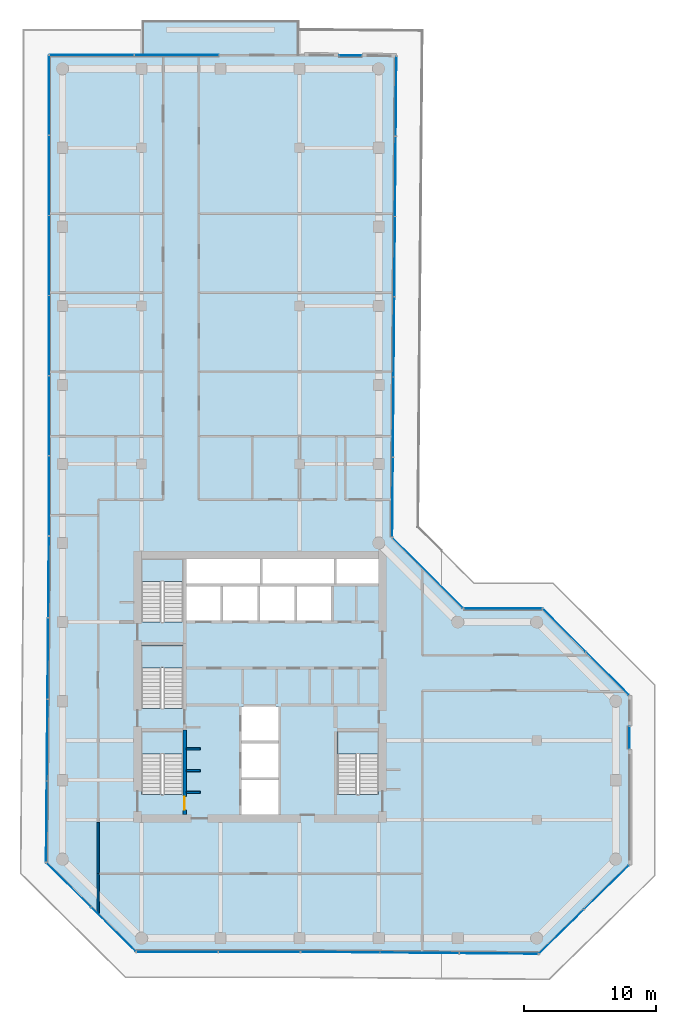
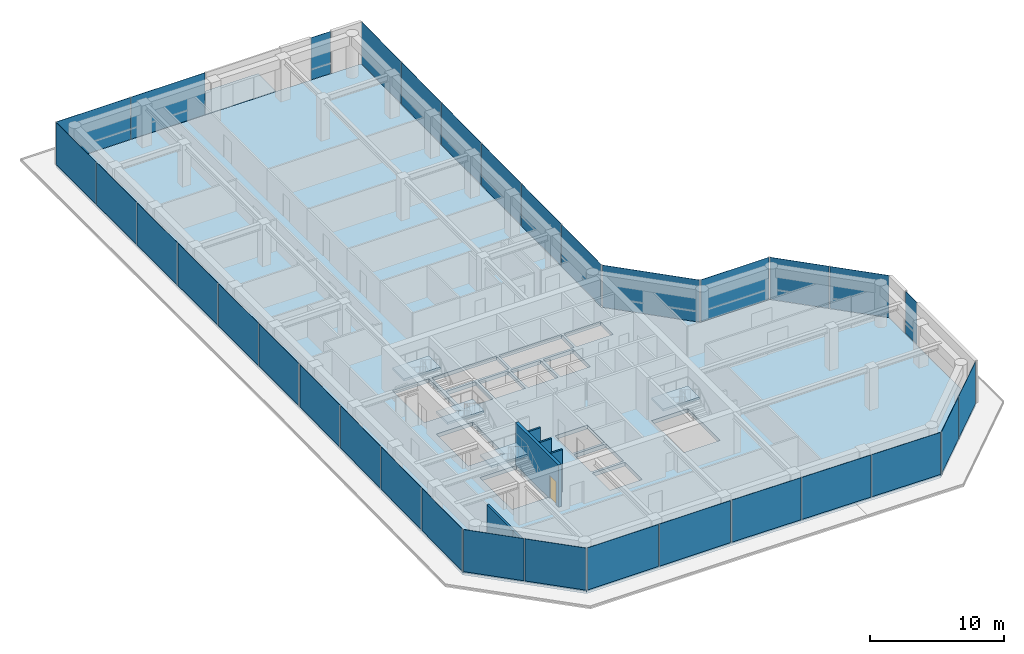
# One storey, part 14 of 19: 33 plates, 6 slabs, 6 walls, 1 door, 1 opening, 17 elements without a shape of their own.
"""IFC4 building model written with IfcOpenShell, lengths in metres."""

from ifc_helpers import new_model, si_unit, direction, frame, frame_2d, origin, origin_2d, place, context, subcontext, project, spatial, polyline, rectangle, outline, extrude, material, layer, layer_set, type_object, element, fill, aggregate, save


model = new_model("IFC4")

# Units and contexts
model_context = context("Model", 3, precision=1e-05, world=origin(), true_north=direction((0.0, 1.0)))
body_context = subcontext(model_context, "Body", "Model", "MODEL_VIEW")
ifc_project = project(units=[si_unit("LENGTHUNIT", "METRE"), si_unit("AREAUNIT", "SQUARE_METRE"), si_unit("VOLUMEUNIT", "CUBIC_METRE"), si_unit("PLANEANGLEUNIT", "RADIAN"), si_unit("MASSUNIT", "GRAM", prefix="KILO")], contexts=[model_context])

# Site, building, storey
site_placement = place(None, origin())
site = spatial("IfcSite", under=ifc_project, at=site_placement, CompositionType="ELEMENT")
building_placement = place(site_placement, origin())
building = spatial("IfcBuilding", under=site, at=building_placement, Name="Welwitschia Terrace Campus", CompositionType="ELEMENT")
storey_placement = place(building_placement, frame((0.0, 0.0, 167.60009765625)))
storey = spatial("IfcBuildingStorey", under=building, at=storey_placement, Name="L37", CompositionType="ELEMENT", Elevation=167.60009765625)

# Curtain wall, plates
ifc_material_1 = material(Name="Bronze anodised aluminium", Category="aluminium")
ifc_layer_1 = layer(ifc_material_1, 0.1201171875)
ifc_layer_set_1 = layer_set([ifc_layer_1], Name="Bronze anodised aluminium")
curtain_wall_type = type_object("IfcCurtainWallType", Name="Curtain wall CW2 tower 6000", PredefinedType="NOTDEFINED", material=ifc_layer_set_1)
curtain_wall_1_placement = place(storey_placement, origin())
curtain_wall_1 = element("IfcCurtainWall", 1, at=curtain_wall_1_placement, inside=storey, type_object=curtain_wall_type, Name="CW L37.0.1", PredefinedType="NOTDEFINED")
ifc_material_2 = material(Name="Tinted bronze-grey glass", Category="glass")
ifc_layer_2 = layer(ifc_material_2, 0.028076171875)
ifc_layer_set_2 = layer_set([ifc_layer_2], Name="Tinted bronze-grey glass")
plate_type = type_object("IfcPlateType", Name="Glass panel 28 tinted", PredefinedType="CURTAIN_PANEL", material=ifc_layer_set_2)
plate_1_placement = place(storey_placement, frame((8.65673828125, 63.030029296875, -0.000244140625), z_axis=(0.0, 0.0, 1.0), x_axis=(-1.0, 0.0, 0.0)))
plate_1 = element("IfcPlate", 2, at=plate_1_placement, type_object=plate_type, Name="Panel L37.0.1.0", PredefinedType="CURTAIN_PANEL", context=body_context, shape_type="SweptSolid", body=[
    extrude(rectangle(XDim=6.3779296875, YDim=0.028076171875, at=origin_2d()), origin(), (0.0, 0.0, 1.0), 3.85009765625),
])
plate_2_placement = place(storey_placement, frame((2.218994140625, 63.030029296875, -0.000244140625), z_axis=(0.0, 0.0, 1.0), x_axis=(-1.0, 0.0, 0.0)))
plate_2 = element("IfcPlate", 3, at=plate_2_placement, type_object=plate_type, Name="Panel L37.0.1.1", PredefinedType="CURTAIN_PANEL", context=body_context, shape_type="SweptSolid", body=[
    extrude(rectangle(XDim=6.3779296875, YDim=0.028076171875, at=origin_2d()), origin(), (0.0, 0.0, 1.0), 3.85009765625),
])
aggregate(curtain_wall_1, [plate_1, plate_2])

curtain_wall_2_placement = place(storey_placement, origin())
curtain_wall_2 = element("IfcCurtainWall", 4, at=curtain_wall_2_placement, inside=storey, type_object=curtain_wall_type, Name="CW L37.1.0", PredefinedType="NOTDEFINED")
plate_3_placement = place(storey_placement, frame((-1.030029296875, 59.9736328125, -0.000244140625), z_axis=(0.0, 0.0, 1.0), x_axis=(0.0, -1.0, 0.0)))
plate_3 = element("IfcPlate", 5, at=plate_3_placement, type_object=plate_type, Name="Panel L37.1.0.0", PredefinedType="CURTAIN_PANEL", context=body_context, shape_type="SweptSolid", body=[
    extrude(rectangle(XDim=5.992919921875, YDim=0.028076171875, at=origin_2d()), origin(), (0.0, 0.0, 1.0), 3.85009765625),
])
plate_4_placement = place(storey_placement, frame((-1.030029296875, 53.90576171875, -0.000244140625), z_axis=(0.0, 0.0, 1.0), x_axis=(0.0, -1.0, 0.0)))
plate_4 = element("IfcPlate", 6, at=plate_4_placement, type_object=plate_type, Name="Panel L37.1.0.1", PredefinedType="CURTAIN_PANEL", context=body_context, shape_type="SweptSolid", body=[
    extrude(rectangle(XDim=6.022705078125, YDim=0.028076171875, at=origin_2d()), origin(), (0.0, 0.0, 1.0), 3.85009765625),
])
plate_5_placement = place(storey_placement, frame((-1.030029296875, 47.822998046875, -0.000244140625), z_axis=(0.0, 0.0, 1.0), x_axis=(0.0, -1.0, 0.0)))
plate_5 = element("IfcPlate", 7, at=plate_5_placement, type_object=plate_type, Name="Panel L37.1.0.2", PredefinedType="CURTAIN_PANEL", context=body_context, shape_type="SweptSolid", body=[
    extrude(rectangle(XDim=6.022705078125, YDim=0.028076171875, at=origin_2d()), origin(), (0.0, 0.0, 1.0), 3.85009765625),
])
plate_6_placement = place(storey_placement, frame((-1.030029296875, 41.740234375, -0.000244140625), z_axis=(0.0, 0.0, 1.0), x_axis=(0.0, -1.0, 0.0)))
plate_6 = element("IfcPlate", 8, at=plate_6_placement, type_object=plate_type, Name="Panel L37.1.0.3", PredefinedType="CURTAIN_PANEL", context=body_context, shape_type="SweptSolid", body=[
    extrude(rectangle(XDim=6.022705078125, YDim=0.028076171875, at=origin_2d()), origin(), (0.0, 0.0, 1.0), 3.85009765625),
])
plate_7_placement = place(storey_placement, frame((-1.030029296875, 35.657470703125, -0.000244140625), z_axis=(0.0, 0.0, 1.0), x_axis=(0.0, -1.0, 0.0)))
plate_7 = element("IfcPlate", 9, at=plate_7_placement, type_object=plate_type, Name="Panel L37.1.0.4", PredefinedType="CURTAIN_PANEL", context=body_context, shape_type="SweptSolid", body=[
    extrude(rectangle(XDim=6.022705078125, YDim=0.028076171875, at=origin_2d()), origin(), (0.0, 0.0, 1.0), 3.85009765625),
])
plate_8_placement = place(storey_placement, frame((-1.030029296875, 29.589599609375, -0.000244140625), z_axis=(0.0, 0.0, 1.0), x_axis=(0.0, -1.0, 0.0)))
plate_8 = element("IfcPlate", 10, at=plate_8_placement, type_object=plate_type, Name="Panel L37.1.0.5", PredefinedType="CURTAIN_PANEL", context=body_context, shape_type="SweptSolid", body=[
    extrude(rectangle(XDim=5.992919921875, YDim=0.028076171875, at=origin_2d()), origin(), (0.0, 0.0, 1.0), 3.85009765625),
])
aggregate(curtain_wall_2, [plate_3, plate_4, plate_5, plate_6, plate_7, plate_8])

curtain_wall_3_placement = place(storey_placement, origin())
curtain_wall_3 = element("IfcCurtainWall", 11, at=curtain_wall_3_placement, inside=storey, type_object=curtain_wall_type, Name="CW L37.2.0", PredefinedType="NOTDEFINED")
plate_9_placement = place(storey_placement, frame((-1.05712890625, 23.419189453125, -0.000244140625), z_axis=(0.0, 0.0, 1.0), x_axis=(-0.008726535498, -0.999961923064, 0.0)))
plate_9 = element("IfcPlate", 12, at=plate_9_placement, type_object=plate_type, Name="Panel L37.2.0.0", PredefinedType="CURTAIN_PANEL", context=body_context, shape_type="SweptSolid", body=[
    extrude(rectangle(XDim=6.10791015625, YDim=0.028076171875, at=origin_2d()), origin(), (0.0, 0.0, 1.0), 3.85009765625),
])
plate_10_placement = place(storey_placement, frame((-1.111083984375, 17.236572265625, -0.000244140625), z_axis=(0.0, 0.0, 1.0), x_axis=(-0.008726535498, -0.999961923064, 0.0)))
plate_10 = element("IfcPlate", 13, at=plate_10_placement, type_object=plate_type, Name="Panel L37.2.0.1", PredefinedType="CURTAIN_PANEL", context=body_context, shape_type="SweptSolid", body=[
    extrude(rectangle(XDim=6.137939453125, YDim=0.028076171875, at=origin_2d()), origin(), (0.0, 0.0, 1.0), 3.85009765625),
])
plate_11_placement = place(storey_placement, frame((-1.165283203125, 11.038818359375, -0.000244140625), z_axis=(0.0, 0.0, 1.0), x_axis=(-0.008726535498, -0.999961923064, 0.0)))
plate_11 = element("IfcPlate", 14, at=plate_11_placement, type_object=plate_type, Name="Panel L37.2.0.2", PredefinedType="CURTAIN_PANEL", context=body_context, shape_type="SweptSolid", body=[
    extrude(rectangle(XDim=6.137939453125, YDim=0.028076171875, at=origin_2d()), origin(), (0.0, 0.0, 1.0), 3.85009765625),
])
plate_12_placement = place(storey_placement, frame((-1.21923828125, 4.85595703125, -0.000244140625), z_axis=(0.0, 0.0, 1.0), x_axis=(-0.008726535498, -0.999961923064, 0.0)))
plate_12 = element("IfcPlate", 15, at=plate_12_placement, type_object=plate_type, Name="Panel L37.2.0.3", PredefinedType="CURTAIN_PANEL", context=body_context, shape_type="SweptSolid", body=[
    extrude(rectangle(XDim=6.10791015625, YDim=0.028076171875, at=origin_2d()), origin(), (0.0, 0.0, 1.0), 3.85009765625),
])
aggregate(curtain_wall_3, [plate_9, plate_10, plate_11, plate_12])

curtain_wall_4_placement = place(storey_placement, origin())
curtain_wall_4 = element("IfcCurtainWall", 16, at=curtain_wall_4_placement, inside=storey, type_object=curtain_wall_type, Name="CW L37.3.0", PredefinedType="NOTDEFINED")
plate_13_placement = place(storey_placement, frame((0.46923828125, 0.038330078125, -0.000244140625), z_axis=(0.0, 0.0, 1.0), x_axis=(0.709586305204, -0.704618531879, 0.0)))
plate_13 = element("IfcPlate", 17, at=plate_13_placement, type_object=plate_type, Name="Panel L37.3.0.0", PredefinedType="CURTAIN_PANEL", context=body_context, shape_type="SweptSolid", body=[
    extrude(rectangle(XDim=4.715576171875, YDim=0.028076171875, at=origin_2d()), origin(), (0.0, 0.0, 1.0), 3.85009765625),
])
plate_14_placement = place(storey_placement, frame((3.85791015625, -3.326416015625, -0.000244140625), z_axis=(0.0, 0.0, 1.0), x_axis=(0.709586305204, -0.704618531879, 0.0)))
plate_14 = element("IfcPlate", 18, at=plate_14_placement, type_object=plate_type, Name="Panel L37.3.0.1", PredefinedType="CURTAIN_PANEL", context=body_context, shape_type="SweptSolid", body=[
    extrude(rectangle(XDim=4.715576171875, YDim=0.028076171875, at=origin_2d()), origin(), (0.0, 0.0, 1.0), 3.85009765625),
])
aggregate(curtain_wall_4, [plate_13, plate_14])

curtain_wall_5_placement = place(storey_placement, origin())
curtain_wall_5 = element("IfcCurtainWall", 19, at=curtain_wall_5_placement, inside=storey, type_object=curtain_wall_type, Name="CW L37.4.0", PredefinedType="NOTDEFINED")
plate_15_placement = place(storey_placement, frame((8.71435546875, -5.030029296875, -0.000244140625), z_axis=(0.0, 0.0, 1.0), x_axis=(1.0, 0.0, 0.0)))
plate_15 = element("IfcPlate", 20, at=plate_15_placement, type_object=plate_type, Name="Panel L37.4.0.0", PredefinedType="CURTAIN_PANEL", context=body_context, shape_type="SweptSolid", body=[
    extrude(rectangle(XDim=6.16162109375, YDim=0.028076171875, at=origin_2d()), origin(), (0.0, 0.0, 1.0), 3.85009765625),
])
plate_16_placement = place(storey_placement, frame((14.93603515625, -5.030029296875, -0.000244140625), z_axis=(0.0, 0.0, 1.0), x_axis=(1.0, 0.0, 0.0)))
plate_16 = element("IfcPlate", 21, at=plate_16_placement, type_object=plate_type, Name="Panel L37.4.0.1", PredefinedType="CURTAIN_PANEL", context=body_context, shape_type="SweptSolid", body=[
    extrude(rectangle(XDim=6.16162109375, YDim=0.028076171875, at=origin_2d()), origin(), (0.0, 0.0, 1.0), 3.85009765625),
])
aggregate(curtain_wall_5, [plate_15, plate_16])

curtain_wall_6_placement = place(storey_placement, origin())
curtain_wall_6 = element("IfcCurtainWall", 22, at=curtain_wall_6_placement, inside=storey, type_object=curtain_wall_type, Name="CW L37.5.0", PredefinedType="NOTDEFINED")
plate_17_placement = place(storey_placement, frame((21.104248046875, -5.056396484375, -0.000244140625), z_axis=(0.0, 0.0, 1.0), x_axis=(0.999961923064, -0.008726535498, 0.0)))
plate_17 = element("IfcPlate", 23, at=plate_17_placement, type_object=plate_type, Name="Panel L37.5.0.0", PredefinedType="CURTAIN_PANEL", context=body_context, shape_type="SweptSolid", body=[
    extrude(rectangle(XDim=5.93505859375, YDim=0.028076171875, at=origin_2d()), origin(), (0.0, 0.0, 1.0), 3.85009765625),
])
plate_18_placement = place(storey_placement, frame((27.114013671875, -5.10888671875, -0.000244140625), z_axis=(0.0, 0.0, 1.0), x_axis=(0.999961923064, -0.008726535498, 0.0)))
plate_18 = element("IfcPlate", 24, at=plate_18_placement, type_object=plate_type, Name="Panel L37.5.0.1", PredefinedType="CURTAIN_PANEL", context=body_context, shape_type="SweptSolid", body=[
    extrude(rectangle(XDim=5.965087890625, YDim=0.028076171875, at=origin_2d()), origin(), (0.0, 0.0, 1.0), 3.85009765625),
])
plate_19_placement = place(storey_placement, frame((33.123779296875, -5.161376953125, -0.000244140625), z_axis=(0.0, 0.0, 1.0), x_axis=(0.999961923064, -0.008726535498, 0.0)))
plate_19 = element("IfcPlate", 25, at=plate_19_placement, type_object=plate_type, Name="Panel L37.5.0.2", PredefinedType="CURTAIN_PANEL", context=body_context, shape_type="SweptSolid", body=[
    extrude(rectangle(XDim=5.93505859375, YDim=0.028076171875, at=origin_2d()), origin(), (0.0, 0.0, 1.0), 3.85009765625),
])
aggregate(curtain_wall_6, [plate_17, plate_18, plate_19])

curtain_wall_7_placement = place(storey_placement, origin())
curtain_wall_7 = element("IfcCurtainWall", 26, at=curtain_wall_7_placement, inside=storey, type_object=curtain_wall_type, Name="CW L37.6.0", PredefinedType="NOTDEFINED")
plate_20_placement = place(storey_placement, frame((37.881591796875, -3.487060546875, -0.000244140625), z_axis=(0.0, 0.0, 1.0), x_axis=(0.713187898571, 0.700972910555, 0.0)))
plate_20 = element("IfcPlate", 27, at=plate_20_placement, type_object=plate_type, Name="Panel L37.6.0.0", PredefinedType="CURTAIN_PANEL", context=body_context, shape_type="SweptSolid", body=[
    extrude(rectangle(XDim=4.732421875, YDim=0.028076171875, at=origin_2d()), origin(), (0.0, 0.0, 1.0), 3.85009765625),
])
plate_21_placement = place(storey_placement, frame((41.299560546875, -0.12744140625, -0.000244140625), z_axis=(0.0, 0.0, 1.0), x_axis=(0.713187898571, 0.700972910555, 0.0)))
plate_21 = element("IfcPlate", 28, at=plate_21_placement, type_object=plate_type, Name="Panel L37.6.0.1", PredefinedType="CURTAIN_PANEL", context=body_context, shape_type="SweptSolid", body=[
    extrude(rectangle(XDim=4.732421875, YDim=0.028076171875, at=origin_2d()), origin(), (0.0, 0.0, 1.0), 3.85009765625),
])
aggregate(curtain_wall_7, [plate_20, plate_21])

# Curtain wall, plate
curtain_wall_8_placement = place(storey_placement, origin())
curtain_wall_8 = element("IfcCurtainWall", 29, at=curtain_wall_8_placement, inside=storey, type_object=curtain_wall_type, Name="CW L37.7.S0", PredefinedType="NOTDEFINED")
plate_22_placement = place(storey_placement, frame((43.030029296875, 11.21337890625, -0.000244140625), z_axis=(0.0, 0.0, 1.0), x_axis=(0.0, 1.0, 0.0)))
plate_22 = element("IfcPlate", 30, at=plate_22_placement, type_object=plate_type, Name="Panel L37.7.S0.0", PredefinedType="CURTAIN_PANEL", context=body_context, shape_type="SweptSolid", body=[
    extrude(rectangle(XDim=1.679931640625, YDim=0.028076171875, at=origin_2d()), origin(), (0.0, 0.0, 1.0), 3.85009765625),
])
aggregate(curtain_wall_8, [plate_22])

# Curtain wall, plates
curtain_wall_9_placement = place(storey_placement, origin())
curtain_wall_9 = element("IfcCurtainWall", 31, at=curtain_wall_9_placement, inside=storey, type_object=curtain_wall_type, Name="CW L37.8.0", PredefinedType="NOTDEFINED")
plate_23_placement = place(storey_placement, frame((41.36865234375, 16.088134765625, -0.000244140625), z_axis=(0.0, 0.0, 1.0), x_axis=(-0.707106781187, 0.707106781187, 0.0)))
plate_23 = element("IfcPlate", 32, at=plate_23_placement, type_object=plate_type, Name="Panel L37.8.0.0", PredefinedType="CURTAIN_PANEL", context=body_context, shape_type="SweptSolid", body=[
    extrude(rectangle(XDim=4.579345703125, YDim=0.028076171875, at=origin_2d()), origin(), (0.0, 0.0, 1.0), 3.85009765625),
])
plate_24_placement = place(storey_placement, frame((38.088134765625, 19.36865234375, -0.000244140625), z_axis=(0.0, 0.0, 1.0), x_axis=(-0.707106781187, 0.707106781187, 0.0)))
plate_24 = element("IfcPlate", 33, at=plate_24_placement, type_object=plate_type, Name="Panel L37.8.0.1", PredefinedType="CURTAIN_PANEL", context=body_context, shape_type="SweptSolid", body=[
    extrude(rectangle(XDim=4.579345703125, YDim=0.028076171875, at=origin_2d()), origin(), (0.0, 0.0, 1.0), 3.85009765625),
])
aggregate(curtain_wall_9, [plate_23, plate_24])

# Curtain wall, plate
curtain_wall_10_placement = place(storey_placement, origin())
curtain_wall_10 = element("IfcCurtainWall", 34, at=curtain_wall_10_placement, inside=storey, type_object=curtain_wall_type, Name="CW L37.9.0", PredefinedType="NOTDEFINED")
plate_25_placement = place(storey_placement, frame((33.4267578125, 21.030029296875, -0.000244140625), z_axis=(0.0, 0.0, 1.0), x_axis=(-1.0, 0.0, 0.0)))
plate_25 = element("IfcPlate", 35, at=plate_25_placement, type_object=plate_type, Name="Panel L37.9.0.0", PredefinedType="CURTAIN_PANEL", context=body_context, shape_type="SweptSolid", body=[
    extrude(rectangle(XDim=5.8798828125, YDim=0.028076171875, at=origin_2d()), origin(), (0.0, 0.0, 1.0), 3.85009765625),
])
aggregate(curtain_wall_10, [plate_25])

curtain_wall_11_placement = place(storey_placement, origin())
curtain_wall_11 = element("IfcCurtainWall", 36, at=curtain_wall_11_placement, inside=storey, type_object=curtain_wall_type, Name="CW L37.10.0", PredefinedType="NOTDEFINED")
plate_26_placement = place(storey_placement, frame((27.728271484375, 23.728271484375, -0.000244140625), z_axis=(0.0, 0.0, 1.0), x_axis=(-0.707106781187, 0.707106781187, 0.0)))
plate_26 = element("IfcPlate", 37, at=plate_26_placement, type_object=plate_type, Name="Panel L37.10.0.0", PredefinedType="CURTAIN_PANEL", context=body_context, shape_type="SweptSolid", body=[
    extrude(rectangle(XDim=7.511962890625, YDim=0.028076171875, at=origin_2d()), origin(), (0.0, 0.0, 1.0), 3.85009765625),
])
aggregate(curtain_wall_11, [plate_26])

# Curtain wall, plates
curtain_wall_12_placement = place(storey_placement, origin())
curtain_wall_12 = element("IfcCurtainWall", 38, at=curtain_wall_12_placement, inside=storey, type_object=curtain_wall_type, Name="CW L37.11.0", PredefinedType="NOTDEFINED")
plate_27_placement = place(storey_placement, frame((25.056884765625, 29.48681640625, -0.000244140625), z_axis=(0.0, 0.0, 1.0), x_axis=(0.008726535498, 0.999961923064, 0.0)))
plate_27 = element("IfcPlate", 39, at=plate_27_placement, type_object=plate_type, Name="Panel L37.11.0.0", PredefinedType="CURTAIN_PANEL", context=body_context, shape_type="SweptSolid", body=[
    extrude(rectangle(XDim=6.000732421875, YDim=0.028076171875, at=origin_2d()), origin(), (0.0, 0.0, 1.0), 3.85009765625),
])
plate_28_placement = place(storey_placement, frame((25.10986328125, 35.562255859375, -0.000244140625), z_axis=(0.0, 0.0, 1.0), x_axis=(0.008726535498, 0.999961923064, 0.0)))
plate_28 = element("IfcPlate", 40, at=plate_28_placement, type_object=plate_type, Name="Panel L37.11.0.1", PredefinedType="CURTAIN_PANEL", context=body_context, shape_type="SweptSolid", body=[
    extrude(rectangle(XDim=6.03076171875, YDim=0.028076171875, at=origin_2d()), origin(), (0.0, 0.0, 1.0), 3.85009765625),
])
plate_29_placement = place(storey_placement, frame((25.162841796875, 41.652587890625, -0.000244140625), z_axis=(0.0, 0.0, 1.0), x_axis=(0.008726535498, 0.999961923064, 0.0)))
plate_29 = element("IfcPlate", 41, at=plate_29_placement, type_object=plate_type, Name="Panel L37.11.0.2", PredefinedType="CURTAIN_PANEL", context=body_context, shape_type="SweptSolid", body=[
    extrude(rectangle(XDim=6.03076171875, YDim=0.028076171875, at=origin_2d()), origin(), (0.0, 0.0, 1.0), 3.85009765625),
])
plate_30_placement = place(storey_placement, frame((25.216064453125, 47.7431640625, -0.000244140625), z_axis=(0.0, 0.0, 1.0), x_axis=(0.008726535498, 0.999961923064, 0.0)))
plate_30 = element("IfcPlate", 42, at=plate_30_placement, type_object=plate_type, Name="Panel L37.11.0.3", PredefinedType="CURTAIN_PANEL", context=body_context, shape_type="SweptSolid", body=[
    extrude(rectangle(XDim=6.03076171875, YDim=0.028076171875, at=origin_2d()), origin(), (0.0, 0.0, 1.0), 3.85009765625),
])
plate_31_placement = place(storey_placement, frame((25.269287109375, 53.83349609375, -0.000244140625), z_axis=(0.0, 0.0, 1.0), x_axis=(0.008726535498, 0.999961923064, 0.0)))
plate_31 = element("IfcPlate", 43, at=plate_31_placement, type_object=plate_type, Name="Panel L37.11.0.4", PredefinedType="CURTAIN_PANEL", context=body_context, shape_type="SweptSolid", body=[
    extrude(rectangle(XDim=6.03076171875, YDim=0.028076171875, at=origin_2d()), origin(), (0.0, 0.0, 1.0), 3.85009765625),
])
plate_32_placement = place(storey_placement, frame((25.322265625, 59.908935546875, -0.000244140625), z_axis=(0.0, 0.0, 1.0), x_axis=(0.008726535498, 0.999961923064, 0.0)))
plate_32 = element("IfcPlate", 44, at=plate_32_placement, type_object=plate_type, Name="Panel L37.11.0.5", PredefinedType="CURTAIN_PANEL", context=body_context, shape_type="SweptSolid", body=[
    extrude(rectangle(XDim=6.000732421875, YDim=0.028076171875, at=origin_2d()), origin(), (0.0, 0.0, 1.0), 3.85009765625),
])
aggregate(curtain_wall_12, [plate_27, plate_28, plate_29, plate_30, plate_31, plate_32])

# Curtain wall, plate
curtain_wall_13_placement = place(storey_placement, origin())
curtain_wall_13 = element("IfcCurtainWall", 45, at=curtain_wall_13_placement, inside=storey, type_object=curtain_wall_type, Name="CW L37.12.S0", PredefinedType="NOTDEFINED")
plate_33_placement = place(storey_placement, frame((21.861328125, 62.99951171875, -0.000244140625), z_axis=(0.0, 0.0, 1.0), x_axis=(-0.999961923064, 0.008726535498, 0.0)))
plate_33 = element("IfcPlate", 46, at=plate_33_placement, type_object=plate_type, Name="Panel L37.12.S0.0", PredefinedType="CURTAIN_PANEL", context=body_context, shape_type="SweptSolid", body=[
    extrude(rectangle(XDim=1.679931640625, YDim=0.028076171875, at=origin_2d()), origin(), (0.0, 0.0, 1.0), 3.85009765625),
])
aggregate(curtain_wall_13, [plate_33])

# Stair, slab
ifc_material_3 = material(Name="Concrete C40/50", Category="concrete")
stair_type = type_object("IfcStairType", Name="Stair 24R 175 W1500", PredefinedType="HALF_TURN_STAIR", material=ifc_material_3)
stair_1_placement = place(storey_placement, origin())
stair_1 = element("IfcStair", 47, at=stair_1_placement, inside=storey, type_object=stair_type, Name="L37 Exit stair S1", PredefinedType="HALF_TURN_STAIR")
ifc_material_4 = material(Name="Concrete C40/50", Category="concrete")
ifc_layer_3 = layer(ifc_material_4, 0.199951171875)
ifc_layer_set_3 = layer_set([ifc_layer_3], Name="Concrete C40/50")
slab_type_1 = type_object("IfcSlabType", Name="Stair landing RC", PredefinedType="LANDING", material=ifc_layer_set_3)
slab_1_placement = place(storey_placement, frame((0.0, 0.0, 1.89990234375)))
slab_1 = element("IfcSlab", 48, at=slab_1_placement, type_object=slab_type_1, Name="S1 landing 1", PredefinedType="LANDING", context=body_context, shape_type="SweptSolid", body=[
    extrude(outline(polyline([(9.14990234375, 9.97998046875), (9.14990234375, 11.699951171875), (6.0, 11.699951171875), (6.0, 9.97998046875), (9.14990234375, 9.97998046875)])), origin(), (0.0, 0.0, 1.0), 0.199951171875),
])
aggregate(stair_1, [slab_1])

stair_2_placement = place(storey_placement, origin())
stair_2 = element("IfcStair", 49, at=stair_2_placement, inside=storey, type_object=stair_type, Name="L37 Exit stair S3", PredefinedType="HALF_TURN_STAIR")
slab_2_placement = place(storey_placement, frame((0.0, 0.0, 1.89990234375)))
slab_2 = element("IfcSlab", 50, at=slab_2_placement, type_object=slab_type_1, Name="S3 landing 1", PredefinedType="LANDING", context=body_context, shape_type="SweptSolid", body=[
    extrude(outline(polyline([(9.14990234375, 16.530029296875), (9.14990234375, 18.25), (6.0, 18.25), (6.0, 16.530029296875), (9.14990234375, 16.530029296875)])), origin(), (0.0, 0.0, 1.0), 0.199951171875),
])
aggregate(stair_2, [slab_2])

stair_3_placement = place(storey_placement, origin())
stair_3 = element("IfcStair", 51, at=stair_3_placement, inside=storey, type_object=stair_type, Name="L37 Exit stair S4", PredefinedType="HALF_TURN_STAIR")
slab_3_placement = place(storey_placement, frame((0.0, 0.0, 1.89990234375)))
slab_3 = element("IfcSlab", 52, at=slab_3_placement, type_object=slab_type_1, Name="S4 landing 1", PredefinedType="LANDING", context=body_context, shape_type="SweptSolid", body=[
    extrude(outline(polyline([(9.14990234375, 23.080078125), (9.14990234375, 24.800048828125), (6.0, 24.800048828125), (6.0, 23.080078125), (9.14990234375, 23.080078125)])), origin(), (0.0, 0.0, 1.0), 0.199951171875),
])
aggregate(stair_3, [slab_3])

stair_4_placement = place(storey_placement, origin())
stair_4 = element("IfcStair", 53, at=stair_4_placement, inside=storey, type_object=stair_type, Name="L37 Exit stair S2", PredefinedType="HALF_TURN_STAIR")
slab_4_placement = place(storey_placement, frame((0.0, 0.0, 1.89990234375)))
slab_4 = element("IfcSlab", 54, at=slab_4_placement, type_object=slab_type_1, Name="S2 landing 1", PredefinedType="LANDING", context=body_context, shape_type="SweptSolid", body=[
    extrude(outline(polyline([(24.0, 9.97998046875), (24.0, 11.699951171875), (20.85009765625, 11.699951171875), (20.85009765625, 9.97998046875), (24.0, 9.97998046875)])), origin(), (0.0, 0.0, 1.0), 0.199951171875),
])
aggregate(stair_4, [slab_4])

# Slabs
ifc_material_5 = material(Name="Concrete C40/50", Category="concrete")
ifc_layer_4 = layer(ifc_material_5, 0.35009765625)
ifc_layer_set_4 = layer_set([ifc_layer_4], Name="Concrete C40/50")
slab_type_2 = type_object("IfcSlabType", Name="Suspended floor slab 350", PredefinedType="FLOOR", material=ifc_layer_set_4)
slab_5_placement = place(storey_placement, frame((0.0, 0.0, -0.35009765625)))
element("IfcSlab", 55, at=slab_5_placement, inside=storey, type_object=slab_type_2, Name="Floor slab L37", PredefinedType="FLOOR", context=body_context, shape_type="SweptSolid", body=[
    extrude(outline(polyline([(25.0, 26.414306640625), (30.414306640625, 21.0), (36.414306640625, 21.0), (43.0, 14.414306640625), (43.0, 1.585693359375), (36.13916015625, -5.15771484375), (18.076904296875, -5.0), (5.585693359375, -5.0), (-1.21630859375, 1.75439453125), (-1.0, 26.532958984375), (-1.0, 63.0), (5.998046875, 63.0), (5.998046875, 62.985107421875), (18.001953125, 62.985107421875), (18.001953125, 63.0), (18.37353515625, 63.0), (25.318603515625, 62.939453125), (25.0, 26.414306640625)]), holes=[polyline([(13.60009765625, 5.39990234375), (16.39990234375, 5.39990234375), (16.39990234375, 8.0), (13.60009765625, 8.0), (13.60009765625, 5.39990234375)]), polyline([(6.0, 11.699951171875), (6.0, 6.902099609375), (9.14990234375, 6.902099609375), (9.14990234375, 11.699951171875), (6.0, 11.699951171875)]), polyline([(6.0, 18.25), (6.0, 13.451904296875), (9.14990234375, 13.451904296875), (9.14990234375, 18.25), (6.0, 18.25)]), polyline([(9.39990234375, 22.699951171875), (9.39990234375, 20.10009765625), (12.0, 20.10009765625), (12.0, 22.699951171875), (9.39990234375, 22.699951171875)]), polyline([(12.199951171875, 22.699951171875), (12.199951171875, 20.10009765625), (14.800048828125, 20.10009765625), (14.800048828125, 22.699951171875), (12.199951171875, 22.699951171875)]), polyline([(6.0, 24.800048828125), (6.0, 20.001953125), (9.14990234375, 20.001953125), (9.14990234375, 24.800048828125), (6.0, 24.800048828125)]), polyline([(9.39990234375, 24.800048828125), (9.39990234375, 22.89990234375), (15.0, 22.89990234375), (15.0, 24.800048828125), (9.39990234375, 24.800048828125)]), polyline([(20.85009765625, 6.902099609375), (24.0, 6.902099609375), (24.0, 11.699951171875), (20.85009765625, 11.699951171875), (20.85009765625, 6.902099609375)]), polyline([(13.60009765625, 10.800048828125), (13.60009765625, 8.199951171875), (16.39990234375, 8.199951171875), (16.39990234375, 10.800048828125), (13.60009765625, 10.800048828125)]), polyline([(13.60009765625, 13.60009765625), (13.60009765625, 11.0), (16.39990234375, 11.0), (16.39990234375, 13.60009765625), (13.60009765625, 13.60009765625)]), polyline([(15.0, 22.699951171875), (15.0, 20.10009765625), (17.60009765625, 20.10009765625), (17.60009765625, 22.699951171875), (15.0, 22.699951171875)]), polyline([(17.800048828125, 22.699951171875), (17.800048828125, 20.10009765625), (20.39990234375, 20.10009765625), (20.39990234375, 22.699951171875), (17.800048828125, 22.699951171875)]), polyline([(15.199951171875, 24.800048828125), (15.199951171875, 22.89990234375), (20.60009765625, 22.89990234375), (20.60009765625, 24.800048828125), (15.199951171875, 24.800048828125)]), polyline([(20.800048828125, 24.800048828125), (20.800048828125, 22.89990234375), (24.0, 22.89990234375), (24.0, 24.800048828125), (20.800048828125, 24.800048828125)])]), origin(), (0.0, 0.0, 1.0), 0.35009765625),
])
ifc_material_6 = material(Name="Concrete C40/50", Category="concrete")
ifc_layer_5 = layer(ifc_material_6, 0.35009765625)
ifc_layer_set_5 = layer_set([ifc_layer_5], Name="Concrete C40/50")
slab_type_3 = type_object("IfcSlabType", Name="Terrace slab 350", PredefinedType="FLOOR", material=ifc_layer_set_5)
slab_6_placement = place(storey_placement, frame((0.0, 0.0, -0.35009765625)))
element("IfcSlab", 56, at=slab_6_placement, inside=storey, type_object=slab_type_3, Name="Terrace slab", PredefinedType="FLOOR", context=body_context, shape_type="SweptSolid", body=[
    extrude(outline(polyline([(6.0, 65.699951171875), (18.0, 65.699951171875), (18.0, 63.014892578125), (6.0, 63.014892578125), (6.0, 65.699951171875)])), origin(), (0.0, 0.0, 1.0), 0.35009765625),
])

# Walls
ifc_material_7 = material(Name="Concrete C50/60", Category="concrete")
ifc_layer_6 = layer(ifc_material_7, 0.14990234375)
ifc_layer_set_6 = layer_set([ifc_layer_6], Name="Concrete C50/60")
wall_type_1 = type_object("IfcWallType", Name="Core wall 150 Concrete C50/60", PredefinedType="SHEAR", material=ifc_layer_set_6)
for number, where, z_axis, x_axis, name in (
    (57, (9.39990234375, 7.074951171875, 0.0), (0.0, 0.0, 1.0), (1.0, 0.0, 0.0), "Core wall"),
    (58, (9.39990234375, 8.72509765625, 0.0), (0.0, 0.0, 1.0), (1.0, 0.0, 0.0), "Core wall"),
    (59, (9.39990234375, 10.375, 0.0), (0.0, 0.0, 1.0), (1.0, 0.0, 0.0), "Core wall"),
):
    element("IfcWall", number, at=place(storey_placement, frame(where, z_axis=z_axis, x_axis=x_axis)), inside=storey, type_object=wall_type_1, Name=name, PredefinedType="SHEAR", context=body_context, shape_type="SweptSolid", body=[
        extrude(rectangle(XDim=1.050048828125, YDim=0.14990234375, at=frame_2d((0.52490234375, 0.0))), origin(), (0.0, 0.0, 1.0), 3.849853515625),
    ])

# Wall, opening, door
ifc_material_8 = material(Name="Concrete C50/60", Category="concrete")
ifc_layer_7 = layer(ifc_material_8, 0.25)
ifc_layer_set_7 = layer_set([ifc_layer_7], Name="Concrete C50/60")
wall_type_2 = type_object("IfcWallType", Name="Core wall 250 Concrete C50/60", PredefinedType="SHEAR", material=ifc_layer_set_7)
wall_1_placement = place(storey_placement, frame((9.27490234375, 11.824951171875, 0.0), z_axis=(0.0, 0.0, 1.0), x_axis=(0.0, -1.0, 0.0)))
wall_1 = element("IfcWall", 60, at=wall_1_placement, inside=storey, type_object=wall_type_2, Name="Core wall", PredefinedType="SHEAR", context=body_context, shape_type="SweptSolid", body=[
    extrude(rectangle(XDim=6.425048828125, YDim=0.25, at=frame_2d((3.21240234375, 0.0))), origin(), (0.0, 0.0, 1.0), 3.849853515625),
])
opening_placement = place(wall_1_placement, frame((5.074951171875, 0.0, 0.0)))
opening = element("IfcOpeningElement", 61, at=opening_placement, cuts=wall_1, Name="Opening DS10", PredefinedType="OPENING", context=body_context, shape_type="SweptSolid", body=[
    extrude(rectangle(XDim=1.0, YDim=2.10009765625, at=frame_2d((0.5, 1.050048828125))), frame((0.0, 0.135009765625, 0.0), z_axis=(0.0, -1.0, 0.0), x_axis=(1.0, 0.0, 0.0)), (0.0, 0.0, 1.0), 0.27001953125),
])
ifc_material_9 = material(Name="Steel S275", Category="steel")
door_type = type_object("IfcDoorType", Name="Core door DS10", OperationType="SINGLE_SWING_LEFT", PredefinedType="DOOR", material=ifc_material_9)
door_placement = place(opening_placement, origin())
door = element("IfcDoor", 62, at=door_placement, inside=storey, type_object=door_type, Name="Door S1-FL", OperationType="SINGLE_SWING_RIGHT", OverallHeight=2.10009765625, OverallWidth=1.0, PredefinedType="DOOR", context=body_context, shape_type="SweptSolid", body=[
    extrude(rectangle(XDim=1.0, YDim=2.10009765625, at=frame_2d((0.5, 1.050048828125))), frame((0.0, 0.02490234375, 0.0), z_axis=(0.0, -1.0, 0.0), x_axis=(1.0, 0.0, 0.0)), (0.0, 0.0, 1.0), 0.050048828125),
])
fill(opening, door)

# Walls
ifc_material_10 = material(Name="Gypsum board on steel studs", Category="steel")
ifc_layer_8 = layer(ifc_material_10, 0.14990234375)
ifc_layer_set_8 = layer_set([ifc_layer_8], Name="Gypsum board on steel studs")
wall_type_3 = type_object("IfcWallType", Name="Corridor partition 150 EI 30", PredefinedType="PARTITIONING", material=ifc_layer_set_8)
wall_2_placement = place(storey_placement, frame((2.699951171875, -2.110107421875, 0.0), z_axis=(0.0, 0.0, 1.0), x_axis=(0.0, 1.0, 0.0)))
element("IfcWall", 63, at=wall_2_placement, inside=storey, type_object=wall_type_3, Name="Partition", PredefinedType="PARTITIONING", context=body_context, shape_type="SweptSolid", body=[
    extrude(rectangle(XDim=3.010009765625, YDim=0.14990234375, at=frame_2d((1.5048828125, 0.0))), origin(), (0.0, 0.0, 1.0), 2.8798828125),
])
wall_3_placement = place(storey_placement, frame((2.699951171875, 0.89990234375, 0.0), z_axis=(0.0, 0.0, 1.0), x_axis=(0.0, 1.0, 0.0)))
element("IfcWall", 64, at=wall_3_placement, inside=storey, type_object=wall_type_3, Name="Partition", PredefinedType="PARTITIONING", context=body_context, shape_type="SweptSolid", body=[
    extrude(rectangle(XDim=3.900146484375, YDim=0.14990234375, at=frame_2d((1.9501953125, 0.0))), origin(), (0.0, 0.0, 1.0), 2.8798828125),
])

save(model, "model.ifc")
